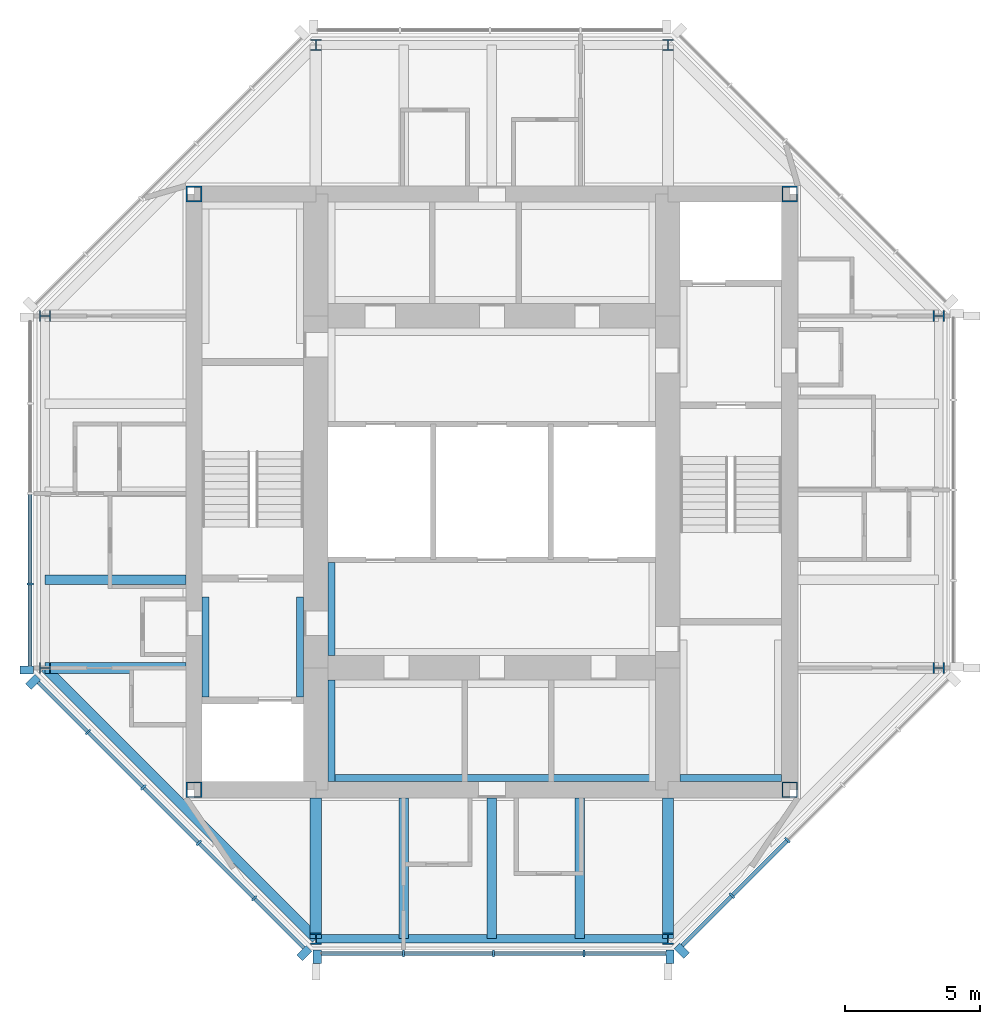
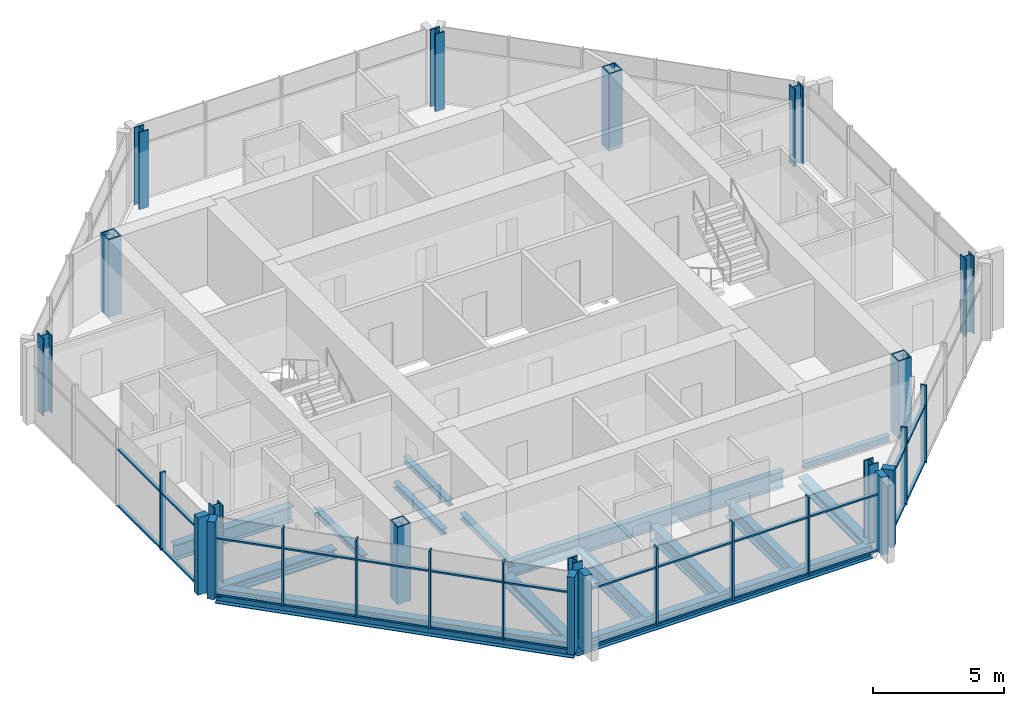
# One storey, part 1 of 9: 42 members, 15 beams, 12 columns, 4 elements without a shape of their own.
"""IFC4 building model written with IfcOpenShell, lengths in metres."""

from ifc_helpers import new_model, si_unit, direction, frame, origin, origin_2d, place, context, subcontext, project, spatial, rectangle, hollow_rectangle, i_section, extrude, material, material_profile, profile_set, type_object, element, aggregate, save


model = new_model("IFC4")

# Units and contexts
model_context = context("Model", 3, precision=1e-05, world=origin(), true_north=direction((0.0, 1.0)))
body_context = subcontext(model_context, "Body", "Model", "MODEL_VIEW")
ifc_project = project(units=[si_unit("LENGTHUNIT", "METRE"), si_unit("AREAUNIT", "SQUARE_METRE"), si_unit("VOLUMEUNIT", "CUBIC_METRE"), si_unit("PLANEANGLEUNIT", "RADIAN"), si_unit("MASSUNIT", "GRAM", prefix="KILO")], contexts=[model_context])

# Site, building, storey
site_placement = place(None, origin())
site = spatial("IfcSite", under=ifc_project, at=site_placement, CompositionType="ELEMENT")
building_placement = place(site_placement, origin())
building = spatial("IfcBuilding", under=site, at=building_placement, Name="Trevanion Tower", CompositionType="ELEMENT")
storey_placement = place(building_placement, frame((0.0, 0.0, 277.60009765625)))
storey = spatial("IfcBuildingStorey", under=building, at=storey_placement, Name="L68", CompositionType="ELEMENT", Elevation=277.60009765625)

# Columns
ifc_material_1 = material(Name="Steel ASTM A913 Grade 65", Category="steel")
ifc_material_profile_1 = material_profile(ifc_material_1, i_section(OverallWidth=0.406494140625, OverallDepth=0.41650390625, WebThickness=0.030029296875, FlangeThickness=0.048095703125, at=origin_2d()), Name="W14X257")
ifc_profile_set_1 = profile_set([ifc_material_profile_1], Name="Steel ASTM A913 Grade 65")
column_type_1 = type_object("IfcColumnType", Name="C6 W14X257", PredefinedType="COLUMN", material=ifc_profile_set_1)
for number, where, z_axis, x_axis, name in (
    (1, (-16.5, -6.5, 0.0), (0.0, 0.0, 1.0), (0.0, 1.0, 0.0), "C6 7/G L68"),
    (2, (-6.5, -16.5, 0.0), (0.0, 0.0, 1.0), (1.0, 0.0, 0.0), "C6 9/E L68"),
    (3, (6.5, -16.5, 0.0), (0.0, 0.0, 1.0), (1.0, 0.0, 0.0), "C6 11/E L68"),
    (4, (16.5, -6.5, 0.0), (0.0, 0.0, 1.0), (0.0, 1.0, 0.0), "C6 13/G L68"),
    (5, (16.5, 6.5, 0.0), (0.0, 0.0, 1.0), (0.0, 1.0, 0.0), "C6 13/J L68"),
    (6, (6.5, 16.5, 0.0), (0.0, 0.0, 1.0), (1.0, 0.0, 0.0), "C6 11/L L68"),
    (7, (-6.5, 16.5, 0.0), (0.0, 0.0, 1.0), (1.0, 0.0, 0.0), "C6 9/L L68"),
    (8, (-16.5, 6.5, 0.0), (0.0, 0.0, 1.0), (0.0, 1.0, 0.0), "C6 7/J L68"),
):
    element("IfcColumn", number, at=place(storey_placement, frame(where, z_axis=z_axis, x_axis=x_axis)), inside=storey, type_object=column_type_1, Name=name, PredefinedType="COLUMN", context=body_context, shape_type="SweptSolid", body=[
        extrude(i_section(OverallWidth=0.406494140625, OverallDepth=0.41650390625, WebThickness=0.030029296875, FlangeThickness=0.048095703125, at=origin_2d()), origin(), (0.0, 0.0, 1.0), 3.599853515625),
    ])
ifc_material_2 = material(Name="Steel ASTM A572 Grade 50", Category="steel")
ifc_material_profile_2 = material_profile(ifc_material_2, hollow_rectangle(XDim=0.584228515625, YDim=0.584228515625, WallThickness=0.05078125, at=origin_2d()), Name="BOX23X23X2")
ifc_profile_set_2 = profile_set([ifc_material_profile_2], Name="Steel ASTM A572 Grade 50")
column_type_2 = type_object("IfcColumnType", Name="CB1 BOX23X23X2", PredefinedType="COLUMN", material=ifc_profile_set_2)
for number, where, z_axis, x_axis, name in (
    (9, (11.0, 11.0, 0.0), (0.0, 0.0, 1.0), (1.0, 0.0, 0.0), "CB1 NE L68"),
    (10, (-11.0, 11.0, 0.0), (0.0, 0.0, 1.0), (1.0, 0.0, 0.0), "CB1 NW L68"),
    (11, (-11.0, -11.0, 0.0), (0.0, 0.0, 1.0), (1.0, 0.0, 0.0), "CB1 SW L68"),
    (12, (11.0, -11.0, 0.0), (0.0, 0.0, 1.0), (1.0, 0.0, 0.0), "CB1 SE L68"),
):
    element("IfcColumn", number, at=place(storey_placement, frame(where, z_axis=z_axis, x_axis=x_axis)), inside=storey, type_object=column_type_2, Name=name, PredefinedType="COLUMN", context=body_context, shape_type="SweptSolid", body=[
        extrude(hollow_rectangle(XDim=0.584228515625, YDim=0.584228515625, WallThickness=0.05078125, at=origin_2d()), origin(), (0.0, 0.0, 1.0), 3.599853515625),
    ])

# Beams
ifc_material_3 = material(Name="Steel ASTM A992 Grade 50", Category="steel")
ifc_material_profile_3 = material_profile(ifc_material_3, i_section(OverallWidth=0.355712890625, OverallDepth=0.700927734375, WebThickness=0.016845703125, FlangeThickness=0.02734375, at=origin_2d()), Name="W27X161")
ifc_profile_set_3 = profile_set([ifc_material_profile_3], Name="Steel ASTM A992 Grade 50")
beam_type_1 = type_object("IfcBeamType", Name="B15 W27X161", PredefinedType="BEAM", material=ifc_profile_set_3)
for number, where, z_axis, x_axis, name in (
    (13, (-11.300048828125, -3.25, -0.54052734375), (-1.0, 0.0, 0.0), (0.0, -1.0, 0.0), "B15 L68"),
    (14, (-3.25, -11.300048828125, -0.54052734375), (0.0, -1.0, 0.0), (1.0, 0.0, 0.0), "B15 L68"),
    (15, (0.0, -11.300048828125, -0.54052734375), (0.0, -1.0, 0.0), (1.0, 0.0, 0.0), "B15 L68"),
    (16, (3.25, -11.300048828125, -0.54052734375), (0.0, -1.0, 0.0), (1.0, 0.0, 0.0), "B15 L68"),
):
    element("IfcBeam", number, at=place(storey_placement, frame(where, z_axis=z_axis, x_axis=x_axis)), inside=storey, type_object=beam_type_1, Name=name, PredefinedType="BEAM", context=body_context, shape_type="SweptSolid", body=[
        extrude(i_section(OverallWidth=0.355712890625, OverallDepth=0.700927734375, WebThickness=0.016845703125, FlangeThickness=0.02734375, at=origin_2d()), origin(), (0.0, 0.0, 1.0), 5.199951171875),
    ])

# Curtain wall, member
ifc_material_4 = material(Name="Aluminium and glass", Category="aluminium")
curtain_wall_type = type_object("IfcCurtainWallType", Name="CW4 curtain wall", PredefinedType="USERDEFINED", material=ifc_material_4)
curtain_wall_1_placement = place(storey_placement, origin())
curtain_wall_1 = element("IfcCurtainWall", 17, at=curtain_wall_1_placement, inside=storey, type_object=curtain_wall_type, Name="CW4 L68 4", ObjectType="UNITISED CURTAIN WALL", PredefinedType="USERDEFINED")
ifc_material_5 = material(Name="Aluminium extrusion, anodised bronze", Category="aluminium")
ifc_material_profile_4 = material_profile(ifc_material_5, rectangle(XDim=0.074951171875, YDim=0.25, at=origin_2d()), Name="CW4 mullion")
ifc_profile_set_4 = profile_set([ifc_material_profile_4], Name="Aluminium extrusion, anodised bronze")
member_type_1 = type_object("IfcMemberType", Name="CW4 mullion", PredefinedType="MULLION", material=ifc_profile_set_4)
member_1_placement = place(storey_placement, frame((-17.050048828125, -3.396484375, -0.190185546875), z_axis=(0.0, 0.0, 1.0), x_axis=(0.0, -1.0, 0.0)))
member_1 = element("IfcMember", 18, at=member_1_placement, type_object=member_type_1, Name="CW4 mullion 4", PredefinedType="MULLION", context=body_context, shape_type="SweptSolid", body=[
    extrude(rectangle(XDim=0.074951171875, YDim=0.25, at=origin_2d()), origin(), (0.0, 0.0, 1.0), 3.60009765625),
])

# Curtain wall, members
curtain_wall_2_placement = place(storey_placement, origin())
curtain_wall_2 = element("IfcCurtainWall", 19, at=curtain_wall_2_placement, inside=storey, type_object=curtain_wall_type, Name="CW4 L68 5", ObjectType="UNITISED CURTAIN WALL", PredefinedType="USERDEFINED")
member_2_placement = place(storey_placement, frame((-14.912109375, -8.86572265625, -0.190185546875), z_axis=(0.0, 0.0, 1.0), x_axis=(0.707106781187, -0.707106781187, 0.0)))
member_2 = element("IfcMember", 20, at=member_2_placement, type_object=member_type_1, Name="CW4 mullion 2", PredefinedType="MULLION", context=body_context, shape_type="SweptSolid", body=[
    extrude(rectangle(XDim=0.074951171875, YDim=0.25, at=origin_2d()), origin(), (0.0, 0.0, 1.0), 3.60009765625),
])
member_3_placement = place(storey_placement, frame((-12.865966796875, -10.911865234375, -0.190185546875), z_axis=(0.0, 0.0, 1.0), x_axis=(0.707106781187, -0.707106781187, 0.0)))
member_3 = element("IfcMember", 21, at=member_3_placement, type_object=member_type_1, Name="CW4 mullion 3", PredefinedType="MULLION", context=body_context, shape_type="SweptSolid", body=[
    extrude(rectangle(XDim=0.074951171875, YDim=0.25, at=origin_2d()), origin(), (0.0, 0.0, 1.0), 3.60009765625),
])
member_4_placement = place(storey_placement, frame((-10.81982421875, -12.9580078125, -0.190185546875), z_axis=(0.0, 0.0, 1.0), x_axis=(0.707106781187, -0.707106781187, 0.0)))
member_4 = element("IfcMember", 22, at=member_4_placement, type_object=member_type_1, Name="CW4 mullion 4", PredefinedType="MULLION", context=body_context, shape_type="SweptSolid", body=[
    extrude(rectangle(XDim=0.074951171875, YDim=0.25, at=origin_2d()), origin(), (0.0, 0.0, 1.0), 3.60009765625),
])
member_5_placement = place(storey_placement, frame((-8.77392578125, -15.00390625, -0.190185546875), z_axis=(0.0, 0.0, 1.0), x_axis=(0.707106781187, -0.707106781187, 0.0)))
member_5 = element("IfcMember", 23, at=member_5_placement, type_object=member_type_1, Name="CW4 mullion 5", PredefinedType="MULLION", context=body_context, shape_type="SweptSolid", body=[
    extrude(rectangle(XDim=0.074951171875, YDim=0.25, at=origin_2d()), origin(), (0.0, 0.0, 1.0), 3.60009765625),
])

curtain_wall_3_placement = place(storey_placement, origin())
curtain_wall_3 = element("IfcCurtainWall", 24, at=curtain_wall_3_placement, inside=storey, type_object=curtain_wall_type, Name="CW4 L68 6", ObjectType="UNITISED CURTAIN WALL", PredefinedType="USERDEFINED")
member_6_placement = place(storey_placement, frame((-3.266357421875, -17.050048828125, -0.190185546875), z_axis=(0.0, 0.0, 1.0), x_axis=(1.0, 0.0, 0.0)))
member_6 = element("IfcMember", 25, at=member_6_placement, type_object=member_type_1, Name="CW4 mullion 2", PredefinedType="MULLION", context=body_context, shape_type="SweptSolid", body=[
    extrude(rectangle(XDim=0.074951171875, YDim=0.25, at=origin_2d()), origin(), (0.0, 0.0, 1.0), 3.60009765625),
])
member_7_placement = place(storey_placement, frame((0.06494140625, -17.050048828125, -0.190185546875), z_axis=(0.0, 0.0, 1.0), x_axis=(1.0, 0.0, 0.0)))
member_7 = element("IfcMember", 26, at=member_7_placement, type_object=member_type_1, Name="CW4 mullion 3", PredefinedType="MULLION", context=body_context, shape_type="SweptSolid", body=[
    extrude(rectangle(XDim=0.074951171875, YDim=0.25, at=origin_2d()), origin(), (0.0, 0.0, 1.0), 3.60009765625),
])
member_8_placement = place(storey_placement, frame((3.396484375, -17.050048828125, -0.190185546875), z_axis=(0.0, 0.0, 1.0), x_axis=(1.0, 0.0, 0.0)))
member_8 = element("IfcMember", 27, at=member_8_placement, type_object=member_type_1, Name="CW4 mullion 4", PredefinedType="MULLION", context=body_context, shape_type="SweptSolid", body=[
    extrude(rectangle(XDim=0.074951171875, YDim=0.25, at=origin_2d()), origin(), (0.0, 0.0, 1.0), 3.60009765625),
])

curtain_wall_4_placement = place(storey_placement, origin())
curtain_wall_4 = element("IfcCurtainWall", 28, at=curtain_wall_4_placement, inside=storey, type_object=curtain_wall_type, Name="CW4 L68 7", ObjectType="UNITISED CURTAIN WALL", PredefinedType="USERDEFINED")
member_9_placement = place(storey_placement, frame((8.86572265625, -14.912109375, -0.190185546875), z_axis=(0.0, 0.0, 1.0), x_axis=(0.707106781187, 0.707106781187, 0.0)))
member_9 = element("IfcMember", 29, at=member_9_placement, type_object=member_type_1, Name="CW4 mullion 2", PredefinedType="MULLION", context=body_context, shape_type="SweptSolid", body=[
    extrude(rectangle(XDim=0.074951171875, YDim=0.25, at=origin_2d()), origin(), (0.0, 0.0, 1.0), 3.60009765625),
])
member_10_placement = place(storey_placement, frame((10.911865234375, -12.865966796875, -0.190185546875), z_axis=(0.0, 0.0, 1.0), x_axis=(0.707106781187, 0.707106781187, 0.0)))
member_10 = element("IfcMember", 30, at=member_10_placement, type_object=member_type_1, Name="CW4 mullion 3", PredefinedType="MULLION", context=body_context, shape_type="SweptSolid", body=[
    extrude(rectangle(XDim=0.074951171875, YDim=0.25, at=origin_2d()), origin(), (0.0, 0.0, 1.0), 3.60009765625),
])

# Member
ifc_material_6 = material(Name="Aluminium extrusion, anodised bronze", Category="aluminium")
ifc_material_profile_5 = material_profile(ifc_material_6, rectangle(XDim=0.300048828125, YDim=0.5, at=origin_2d()), Name="CW4 pier mullion")
ifc_profile_set_5 = profile_set([ifc_material_profile_5], Name="Aluminium extrusion, anodised bronze")
member_type_2 = type_object("IfcMemberType", Name="CW4 pier mullion", PredefinedType="MULLION", material=ifc_profile_set_5)
member_11_placement = place(storey_placement, frame((-17.175048828125, -6.577880859375, -0.190185546875), z_axis=(0.0, 0.0, 1.0), x_axis=(0.0, -1.0, 0.0)))
member_11 = element("IfcMember", 31, at=member_11_placement, type_object=member_type_2, Name="CW4 pier mullion 5", PredefinedType="MULLION", context=body_context, shape_type="SweptSolid", body=[
    extrude(rectangle(XDim=0.300048828125, YDim=0.5, at=origin_2d()), origin(), (0.0, 0.0, 1.0), 3.60009765625),
])

member_12_placement = place(storey_placement, frame((-16.9404296875, -7.01416015625, -0.190185546875), z_axis=(0.0, 0.0, 1.0), x_axis=(0.707106781187, -0.707106781187, 0.0)))
member_12 = element("IfcMember", 32, at=member_12_placement, type_object=member_type_2, Name="CW4 pier mullion 1", PredefinedType="MULLION", context=body_context, shape_type="SweptSolid", body=[
    extrude(rectangle(XDim=0.300048828125, YDim=0.5, at=origin_2d()), origin(), (0.0, 0.0, 1.0), 3.60009765625),
])

member_13_placement = place(storey_placement, frame((-6.92236328125, -17.0322265625, -0.190185546875), z_axis=(0.0, 0.0, 1.0), x_axis=(0.707106781187, -0.707106781187, 0.0)))
member_13 = element("IfcMember", 33, at=member_13_placement, type_object=member_type_2, Name="CW4 pier mullion 6", PredefinedType="MULLION", context=body_context, shape_type="SweptSolid", body=[
    extrude(rectangle(XDim=0.300048828125, YDim=0.5, at=origin_2d()), origin(), (0.0, 0.0, 1.0), 3.60009765625),
])

member_14_placement = place(storey_placement, frame((-6.44775390625, -17.175048828125, -0.190185546875), z_axis=(0.0, 0.0, 1.0), x_axis=(1.0, 0.0, 0.0)))
member_14 = element("IfcMember", 34, at=member_14_placement, type_object=member_type_2, Name="CW4 pier mullion 1", PredefinedType="MULLION", context=body_context, shape_type="SweptSolid", body=[
    extrude(rectangle(XDim=0.300048828125, YDim=0.5, at=origin_2d()), origin(), (0.0, 0.0, 1.0), 3.60009765625),
])

member_15_placement = place(storey_placement, frame((6.577880859375, -17.175048828125, -0.190185546875), z_axis=(0.0, 0.0, 1.0), x_axis=(1.0, 0.0, 0.0)))
member_15 = element("IfcMember", 35, at=member_15_placement, type_object=member_type_2, Name="CW4 pier mullion 5", PredefinedType="MULLION", context=body_context, shape_type="SweptSolid", body=[
    extrude(rectangle(XDim=0.300048828125, YDim=0.5, at=origin_2d()), origin(), (0.0, 0.0, 1.0), 3.60009765625),
])

member_16_placement = place(storey_placement, frame((7.01416015625, -16.9404296875, -0.190185546875), z_axis=(0.0, 0.0, 1.0), x_axis=(0.707106781187, 0.707106781187, 0.0)))
member_16 = element("IfcMember", 36, at=member_16_placement, type_object=member_type_2, Name="CW4 pier mullion 1", PredefinedType="MULLION", context=body_context, shape_type="SweptSolid", body=[
    extrude(rectangle(XDim=0.300048828125, YDim=0.5, at=origin_2d()), origin(), (0.0, 0.0, 1.0), 3.60009765625),
])

ifc_material_7 = material(Name="Aluminium extrusion, anodised bronze", Category="aluminium")
ifc_material_profile_6 = material_profile(ifc_material_7, rectangle(XDim=0.14990234375, YDim=0.074951171875, at=origin_2d()), Name="CW4 transom")
ifc_profile_set_6 = profile_set([ifc_material_profile_6], Name="Aluminium extrusion, anodised bronze")
member_type_3 = type_object("IfcMemberType", Name="CW4 transom", PredefinedType="USERDEFINED", material=ifc_profile_set_6)
member_17_placement = place(storey_placement, frame((-17.050048828125, -0.1025390625, -0.152587890625), z_axis=(0.0, -1.0, 0.0), x_axis=(1.0, 0.0, 0.0)))
member_17 = element("IfcMember", 37, at=member_17_placement, type_object=member_type_3, Name="CW4 transom 3.1", ObjectType="TRANSOM", PredefinedType="USERDEFINED", context=body_context, shape_type="SweptSolid", body=[
    extrude(rectangle(XDim=0.14990234375, YDim=0.074951171875, at=origin_2d()), origin(), (0.0, 0.0, 1.0), 3.25634765625),
])

member_18_placement = place(storey_placement, frame((-17.050048828125, -0.1025390625, 2.4599609375), z_axis=(0.0, -1.0, 0.0), x_axis=(1.0, 0.0, 0.0)))
member_18 = element("IfcMember", 38, at=member_18_placement, type_object=member_type_3, Name="CW4 transom 3.2", ObjectType="TRANSOM", PredefinedType="USERDEFINED", context=body_context, shape_type="SweptSolid", body=[
    extrude(rectangle(XDim=0.14990234375, YDim=0.074951171875, at=origin_2d()), origin(), (0.0, 0.0, 1.0), 3.25634765625),
])

member_19_placement = place(storey_placement, frame((-17.050048828125, -3.433837890625, -0.152587890625), z_axis=(0.0, -1.0, 0.0), x_axis=(1.0, 0.0, 0.0)))
member_19 = element("IfcMember", 39, at=member_19_placement, type_object=member_type_3, Name="CW4 transom 4.1", ObjectType="TRANSOM", PredefinedType="USERDEFINED", context=body_context, shape_type="SweptSolid", body=[
    extrude(rectangle(XDim=0.14990234375, YDim=0.074951171875, at=origin_2d()), origin(), (0.0, 0.0, 1.0), 2.993896484375),
])

member_20_placement = place(storey_placement, frame((-17.050048828125, -3.433837890625, 2.4599609375), z_axis=(0.0, -1.0, 0.0), x_axis=(1.0, 0.0, 0.0)))
member_20 = element("IfcMember", 40, at=member_20_placement, type_object=member_type_3, Name="CW4 transom 4.2", ObjectType="TRANSOM", PredefinedType="USERDEFINED", context=body_context, shape_type="SweptSolid", body=[
    extrude(rectangle(XDim=0.14990234375, YDim=0.074951171875, at=origin_2d()), origin(), (0.0, 0.0, 1.0), 2.993896484375),
])

aggregate(curtain_wall_1, [member_1, member_11, member_17, member_18, member_19, member_20])

member_21_placement = place(storey_placement, frame((-16.745849609375, -7.031982421875, -0.152587890625), z_axis=(0.707106781187, -0.707106781187, 0.0), x_axis=(0.707106781187, 0.707106781187, 0.0)))
member_21 = element("IfcMember", 41, at=member_21_placement, type_object=member_type_3, Name="CW4 transom 1.1", ObjectType="TRANSOM", PredefinedType="USERDEFINED", context=body_context, shape_type="SweptSolid", body=[
    extrude(rectangle(XDim=0.14990234375, YDim=0.074951171875, at=origin_2d()), origin(), (0.0, 0.0, 1.0), 2.555908203125),
])

member_22_placement = place(storey_placement, frame((-16.745849609375, -7.031982421875, 2.4599609375), z_axis=(0.707106781187, -0.707106781187, 0.0), x_axis=(0.707106781187, 0.707106781187, 0.0)))
member_22 = element("IfcMember", 42, at=member_22_placement, type_object=member_type_3, Name="CW4 transom 1.2", ObjectType="TRANSOM", PredefinedType="USERDEFINED", context=body_context, shape_type="SweptSolid", body=[
    extrude(rectangle(XDim=0.14990234375, YDim=0.074951171875, at=origin_2d()), origin(), (0.0, 0.0, 1.0), 2.555908203125),
])

member_23_placement = place(storey_placement, frame((-14.885498046875, -8.892333984375, -0.152587890625), z_axis=(0.707106781187, -0.707106781187, 0.0), x_axis=(0.707106781187, 0.707106781187, 0.0)))
member_23 = element("IfcMember", 43, at=member_23_placement, type_object=member_type_3, Name="CW4 transom 2.1", ObjectType="TRANSOM", PredefinedType="USERDEFINED", context=body_context, shape_type="SweptSolid", body=[
    extrude(rectangle(XDim=0.14990234375, YDim=0.074951171875, at=origin_2d()), origin(), (0.0, 0.0, 1.0), 2.818359375),
])

member_24_placement = place(storey_placement, frame((-14.885498046875, -8.892333984375, 2.4599609375), z_axis=(0.707106781187, -0.707106781187, 0.0), x_axis=(0.707106781187, 0.707106781187, 0.0)))
member_24 = element("IfcMember", 44, at=member_24_placement, type_object=member_type_3, Name="CW4 transom 2.2", ObjectType="TRANSOM", PredefinedType="USERDEFINED", context=body_context, shape_type="SweptSolid", body=[
    extrude(rectangle(XDim=0.14990234375, YDim=0.074951171875, at=origin_2d()), origin(), (0.0, 0.0, 1.0), 2.818359375),
])

member_25_placement = place(storey_placement, frame((-12.839599609375, -10.9384765625, -0.152587890625), z_axis=(0.707150088905, -0.707063470815, 0.0), x_axis=(0.707063470815, 0.707150088905, 0.0)))
member_25 = element("IfcMember", 45, at=member_25_placement, type_object=member_type_3, Name="CW4 transom 3.1", ObjectType="TRANSOM", PredefinedType="USERDEFINED", context=body_context, shape_type="SweptSolid", body=[
    extrude(rectangle(XDim=0.14990234375, YDim=0.074951171875, at=origin_2d()), origin(), (0.0, 0.0, 1.0), 2.818603515625),
])

member_26_placement = place(storey_placement, frame((-12.839599609375, -10.9384765625, 2.4599609375), z_axis=(0.707150088905, -0.707063470815, 0.0), x_axis=(0.707063470815, 0.707150088905, 0.0)))
member_26 = element("IfcMember", 46, at=member_26_placement, type_object=member_type_3, Name="CW4 transom 3.2", ObjectType="TRANSOM", PredefinedType="USERDEFINED", context=body_context, shape_type="SweptSolid", body=[
    extrude(rectangle(XDim=0.14990234375, YDim=0.074951171875, at=origin_2d()), origin(), (0.0, 0.0, 1.0), 2.818603515625),
])

member_27_placement = place(storey_placement, frame((-10.79345703125, -12.984375, -0.152587890625), z_axis=(0.707150088905, -0.707063470815, 0.0), x_axis=(0.707063470815, 0.707150088905, 0.0)))
member_27 = element("IfcMember", 47, at=member_27_placement, type_object=member_type_3, Name="CW4 transom 4.1", ObjectType="TRANSOM", PredefinedType="USERDEFINED", context=body_context, shape_type="SweptSolid", body=[
    extrude(rectangle(XDim=0.14990234375, YDim=0.074951171875, at=origin_2d()), origin(), (0.0, 0.0, 1.0), 2.818603515625),
])

member_28_placement = place(storey_placement, frame((-10.79345703125, -12.984375, 2.4599609375), z_axis=(0.707150088905, -0.707063470815, 0.0), x_axis=(0.707063470815, 0.707150088905, 0.0)))
member_28 = element("IfcMember", 48, at=member_28_placement, type_object=member_type_3, Name="CW4 transom 4.2", ObjectType="TRANSOM", PredefinedType="USERDEFINED", context=body_context, shape_type="SweptSolid", body=[
    extrude(rectangle(XDim=0.14990234375, YDim=0.074951171875, at=origin_2d()), origin(), (0.0, 0.0, 1.0), 2.818603515625),
])

member_29_placement = place(storey_placement, frame((-8.747314453125, -15.030517578125, -0.152587890625), z_axis=(0.707106781187, -0.707106781187, 0.0), x_axis=(0.707106781187, 0.707106781187, 0.0)))
member_29 = element("IfcMember", 49, at=member_29_placement, type_object=member_type_3, Name="CW4 transom 5.1", ObjectType="TRANSOM", PredefinedType="USERDEFINED", context=body_context, shape_type="SweptSolid", body=[
    extrude(rectangle(XDim=0.14990234375, YDim=0.074951171875, at=origin_2d()), origin(), (0.0, 0.0, 1.0), 2.555908203125),
])

member_30_placement = place(storey_placement, frame((-8.747314453125, -15.030517578125, 2.4599609375), z_axis=(0.707106781187, -0.707106781187, 0.0), x_axis=(0.707106781187, 0.707106781187, 0.0)))
member_30 = element("IfcMember", 50, at=member_30_placement, type_object=member_type_3, Name="CW4 transom 5.2", ObjectType="TRANSOM", PredefinedType="USERDEFINED", context=body_context, shape_type="SweptSolid", body=[
    extrude(rectangle(XDim=0.14990234375, YDim=0.074951171875, at=origin_2d()), origin(), (0.0, 0.0, 1.0), 2.555908203125),
])

aggregate(curtain_wall_2, [member_12, member_2, member_3, member_4, member_5, member_13, member_21, member_22, member_23, member_24, member_25, member_26, member_27, member_28, member_29, member_30])

member_31_placement = place(storey_placement, frame((-6.2978515625, -17.050048828125, -0.152587890625), z_axis=(1.0, 0.0, 0.0), x_axis=(0.0, 1.0, 0.0)))
member_31 = element("IfcMember", 51, at=member_31_placement, type_object=member_type_3, Name="CW4 transom 1.1", ObjectType="TRANSOM", PredefinedType="USERDEFINED", context=body_context, shape_type="SweptSolid", body=[
    extrude(rectangle(XDim=0.14990234375, YDim=0.074951171875, at=origin_2d()), origin(), (0.0, 0.0, 1.0), 2.993896484375),
])

member_32_placement = place(storey_placement, frame((-6.2978515625, -17.050048828125, 2.4599609375), z_axis=(1.0, 0.0, 0.0), x_axis=(0.0, 1.0, 0.0)))
member_32 = element("IfcMember", 52, at=member_32_placement, type_object=member_type_3, Name="CW4 transom 1.2", ObjectType="TRANSOM", PredefinedType="USERDEFINED", context=body_context, shape_type="SweptSolid", body=[
    extrude(rectangle(XDim=0.14990234375, YDim=0.074951171875, at=origin_2d()), origin(), (0.0, 0.0, 1.0), 2.993896484375),
])

member_33_placement = place(storey_placement, frame((-3.22900390625, -17.050048828125, -0.152587890625), z_axis=(1.0, 0.0, 0.0), x_axis=(0.0, 1.0, 0.0)))
member_33 = element("IfcMember", 53, at=member_33_placement, type_object=member_type_3, Name="CW4 transom 2.1", ObjectType="TRANSOM", PredefinedType="USERDEFINED", context=body_context, shape_type="SweptSolid", body=[
    extrude(rectangle(XDim=0.14990234375, YDim=0.074951171875, at=origin_2d()), origin(), (0.0, 0.0, 1.0), 3.256591796875),
])

member_34_placement = place(storey_placement, frame((-3.22900390625, -17.050048828125, 2.4599609375), z_axis=(1.0, 0.0, 0.0), x_axis=(0.0, 1.0, 0.0)))
member_34 = element("IfcMember", 54, at=member_34_placement, type_object=member_type_3, Name="CW4 transom 2.2", ObjectType="TRANSOM", PredefinedType="USERDEFINED", context=body_context, shape_type="SweptSolid", body=[
    extrude(rectangle(XDim=0.14990234375, YDim=0.074951171875, at=origin_2d()), origin(), (0.0, 0.0, 1.0), 3.256591796875),
])

member_35_placement = place(storey_placement, frame((0.1025390625, -17.050048828125, -0.152587890625), z_axis=(1.0, 0.0, 0.0), x_axis=(0.0, 1.0, 0.0)))
member_35 = element("IfcMember", 55, at=member_35_placement, type_object=member_type_3, Name="CW4 transom 3.1", ObjectType="TRANSOM", PredefinedType="USERDEFINED", context=body_context, shape_type="SweptSolid", body=[
    extrude(rectangle(XDim=0.14990234375, YDim=0.074951171875, at=origin_2d()), origin(), (0.0, 0.0, 1.0), 3.25634765625),
])

member_36_placement = place(storey_placement, frame((0.1025390625, -17.050048828125, 2.4599609375), z_axis=(1.0, 0.0, 0.0), x_axis=(0.0, 1.0, 0.0)))
member_36 = element("IfcMember", 56, at=member_36_placement, type_object=member_type_3, Name="CW4 transom 3.2", ObjectType="TRANSOM", PredefinedType="USERDEFINED", context=body_context, shape_type="SweptSolid", body=[
    extrude(rectangle(XDim=0.14990234375, YDim=0.074951171875, at=origin_2d()), origin(), (0.0, 0.0, 1.0), 3.25634765625),
])

member_37_placement = place(storey_placement, frame((3.433837890625, -17.050048828125, -0.152587890625), z_axis=(1.0, 0.0, 0.0), x_axis=(0.0, 1.0, 0.0)))
member_37 = element("IfcMember", 57, at=member_37_placement, type_object=member_type_3, Name="CW4 transom 4.1", ObjectType="TRANSOM", PredefinedType="USERDEFINED", context=body_context, shape_type="SweptSolid", body=[
    extrude(rectangle(XDim=0.14990234375, YDim=0.074951171875, at=origin_2d()), origin(), (0.0, 0.0, 1.0), 2.993896484375),
])

member_38_placement = place(storey_placement, frame((3.433837890625, -17.050048828125, 2.4599609375), z_axis=(1.0, 0.0, 0.0), x_axis=(0.0, 1.0, 0.0)))
member_38 = element("IfcMember", 58, at=member_38_placement, type_object=member_type_3, Name="CW4 transom 4.2", ObjectType="TRANSOM", PredefinedType="USERDEFINED", context=body_context, shape_type="SweptSolid", body=[
    extrude(rectangle(XDim=0.14990234375, YDim=0.074951171875, at=origin_2d()), origin(), (0.0, 0.0, 1.0), 2.993896484375),
])

aggregate(curtain_wall_3, [member_14, member_6, member_7, member_8, member_15, member_31, member_32, member_33, member_34, member_35, member_36, member_37, member_38])

member_39_placement = place(storey_placement, frame((7.031982421875, -16.745849609375, -0.152587890625), z_axis=(0.707106781187, 0.707106781187, 0.0), x_axis=(-0.707106781187, 0.707106781187, 0.0)))
member_39 = element("IfcMember", 59, at=member_39_placement, type_object=member_type_3, Name="CW4 transom 1.1", ObjectType="TRANSOM", PredefinedType="USERDEFINED", context=body_context, shape_type="SweptSolid", body=[
    extrude(rectangle(XDim=0.14990234375, YDim=0.074951171875, at=origin_2d()), origin(), (0.0, 0.0, 1.0), 2.555908203125),
])

member_40_placement = place(storey_placement, frame((7.031982421875, -16.745849609375, 2.4599609375), z_axis=(0.707106781187, 0.707106781187, 0.0), x_axis=(-0.707106781187, 0.707106781187, 0.0)))
member_40 = element("IfcMember", 60, at=member_40_placement, type_object=member_type_3, Name="CW4 transom 1.2", ObjectType="TRANSOM", PredefinedType="USERDEFINED", context=body_context, shape_type="SweptSolid", body=[
    extrude(rectangle(XDim=0.14990234375, YDim=0.074951171875, at=origin_2d()), origin(), (0.0, 0.0, 1.0), 2.555908203125),
])

member_41_placement = place(storey_placement, frame((8.892333984375, -14.885498046875, -0.152587890625), z_axis=(0.707106781187, 0.707106781187, 0.0), x_axis=(-0.707106781187, 0.707106781187, 0.0)))
member_41 = element("IfcMember", 61, at=member_41_placement, type_object=member_type_3, Name="CW4 transom 2.1", ObjectType="TRANSOM", PredefinedType="USERDEFINED", context=body_context, shape_type="SweptSolid", body=[
    extrude(rectangle(XDim=0.14990234375, YDim=0.074951171875, at=origin_2d()), origin(), (0.0, 0.0, 1.0), 2.818359375),
])

member_42_placement = place(storey_placement, frame((8.892333984375, -14.885498046875, 2.4599609375), z_axis=(0.707106781187, 0.707106781187, 0.0), x_axis=(-0.707106781187, 0.707106781187, 0.0)))
member_42 = element("IfcMember", 62, at=member_42_placement, type_object=member_type_3, Name="CW4 transom 2.2", ObjectType="TRANSOM", PredefinedType="USERDEFINED", context=body_context, shape_type="SweptSolid", body=[
    extrude(rectangle(XDim=0.14990234375, YDim=0.074951171875, at=origin_2d()), origin(), (0.0, 0.0, 1.0), 2.818359375),
])

aggregate(curtain_wall_4, [member_16, member_9, member_10, member_39, member_40, member_41, member_42])

# Beams
ifc_material_8 = material(Name="Steel ASTM A992 Grade 50", Category="steel")
ifc_material_profile_7 = material_profile(ifc_material_8, i_section(OverallWidth=0.41650390625, OverallDepth=0.444580078125, WebThickness=0.0390625, FlangeThickness=0.062744140625, at=origin_2d()), Name="W14X342")
ifc_profile_set_7 = profile_set([ifc_material_profile_7], Name="Steel ASTM A992 Grade 50")
beam_type_2 = type_object("IfcBeamType", Name="G8 W14X342", PredefinedType="BEAM", material=ifc_profile_set_7)
for number, where, z_axis, x_axis, name in (
    (63, (-11.300048828125, -6.5, -0.412353515625), (-1.0, 0.0, 0.0), (0.0, -1.0, 0.0), "G8 L68"),
    (64, (-6.5, -11.300048828125, -0.412353515625), (0.0, -1.0, 0.0), (1.0, 0.0, 0.0), "G8 L68"),
    (65, (6.5, -11.300048828125, -0.412353515625), (0.0, -1.0, 0.0), (1.0, 0.0, 0.0), "G8 L68"),
):
    element("IfcBeam", number, at=place(storey_placement, frame(where, z_axis=z_axis, x_axis=x_axis)), inside=storey, type_object=beam_type_2, Name=name, PredefinedType="BEAM", context=body_context, shape_type="SweptSolid", body=[
        extrude(i_section(OverallWidth=0.41650390625, OverallDepth=0.444580078125, WebThickness=0.0390625, FlangeThickness=0.062744140625, at=origin_2d()), origin(), (0.0, 0.0, 1.0), 5.199951171875),
    ])
ifc_material_9 = material(Name="Steel ASTM A992 Grade 50", Category="steel")
ifc_material_profile_8 = material_profile(ifc_material_9, i_section(OverallWidth=0.256591796875, OverallDepth=0.26416015625, WebThickness=0.011962890625, FlangeThickness=0.01953125, at=origin_2d()), Name="W10X68")
ifc_profile_set_8 = profile_set([ifc_material_profile_8], Name="Steel ASTM A992 Grade 50")
beam_type_3 = type_object("IfcBeamType", Name="LB1 W10X68", PredefinedType="BEAM", material=ifc_profile_set_8)
beam_1_placement = place(storey_placement, frame((-5.921630859375, -6.050048828125, -0.332275390625), z_axis=(0.0, 1.0, 0.0), x_axis=(-1.0, 0.0, 0.0)))
element("IfcBeam", 66, at=beam_1_placement, inside=storey, type_object=beam_type_3, Name="LB1 L68", PredefinedType="BEAM", context=body_context, shape_type="SweptSolid", body=[
    extrude(i_section(OverallWidth=0.256591796875, OverallDepth=0.26416015625, WebThickness=0.011962890625, FlangeThickness=0.01953125, at=origin_2d()), origin(), (0.0, 0.0, 1.0), 3.449951171875),
])
for number, where, z_axis, x_axis, name in (
    (67, (-10.57177734375, -7.574951171875, -0.332275390625), (0.0, 1.0, 0.0), (-1.0, 0.0, 0.0), "LB1 L68"),
    (68, (-7.078369140625, -7.574951171875, -0.332275390625), (0.0, 1.0, 0.0), (-1.0, 0.0, 0.0), "LB1 L68"),
):
    element("IfcBeam", number, at=place(storey_placement, frame(where, z_axis=z_axis, x_axis=x_axis)), inside=storey, type_object=beam_type_3, Name=name, PredefinedType="BEAM", context=body_context, shape_type="SweptSolid", body=[
        extrude(i_section(OverallWidth=0.256591796875, OverallDepth=0.26416015625, WebThickness=0.011962890625, FlangeThickness=0.01953125, at=origin_2d()), origin(), (0.0, 0.0, 1.0), 3.699951171875),
    ])
for number, where, z_axis, x_axis, name in (
    (69, (6.949951171875, -10.57177734375, -0.332275390625), (1.0, 0.0, 0.0), (0.0, 1.0, 0.0), "LB1 L68"),
    (70, (-5.921630859375, -10.699951171875, -0.332275390625), (0.0, 1.0, 0.0), (-1.0, 0.0, 0.0), "LB1 L68"),
):
    element("IfcBeam", number, at=place(storey_placement, frame(where, z_axis=z_axis, x_axis=x_axis)), inside=storey, type_object=beam_type_3, Name=name, PredefinedType="BEAM", context=body_context, shape_type="SweptSolid", body=[
        extrude(i_section(OverallWidth=0.256591796875, OverallDepth=0.26416015625, WebThickness=0.011962890625, FlangeThickness=0.01953125, at=origin_2d()), origin(), (0.0, 0.0, 1.0), 3.75),
    ])
ifc_material_10 = material(Name="Steel ASTM A992 Grade 50", Category="steel")
ifc_material_profile_9 = material_profile(ifc_material_10, i_section(OverallWidth=0.2666015625, OverallDepth=0.76953125, WebThickness=0.015625, FlangeThickness=0.025390625, at=origin_2d()), Name="W30X132")
ifc_profile_set_9 = profile_set([ifc_material_profile_9], Name="Steel ASTM A992 Grade 50")
beam_type_4 = type_object("IfcBeamType", Name="LB3 W30X132", PredefinedType="BEAM", material=ifc_profile_set_9)
beam_2_placement = place(storey_placement, frame((-6.050048828125, -10.566650390625, -0.5849609375), z_axis=(1.0, 0.0, 0.0), x_axis=(0.0, 1.0, 0.0)))
element("IfcBeam", 71, at=beam_2_placement, inside=storey, type_object=beam_type_4, Name="LB3 L68", PredefinedType="BEAM", context=body_context, shape_type="SweptSolid", body=[
    extrude(i_section(OverallWidth=0.2666015625, OverallDepth=0.76953125, WebThickness=0.015625, FlangeThickness=0.025390625, at=origin_2d()), origin(), (0.0, 0.0, 1.0), 12.10009765625),
])
ifc_material_11 = material(Name="Steel ASTM A992 Grade 50", Category="steel")
ifc_material_profile_10 = material_profile(ifc_material_11, i_section(OverallWidth=0.32763671875, OverallDepth=0.622314453125, WebThickness=0.015380859375, FlangeThickness=0.0244140625, at=origin_2d()), Name="W24X131")
ifc_profile_set_10 = profile_set([ifc_material_profile_10], Name="Steel ASTM A992 Grade 50")
beam_type_5 = type_object("IfcBeamType", Name="SB12 W24X131", PredefinedType="SPANDREL", material=ifc_profile_set_10)
beam_3_placement = place(storey_placement, frame((-6.5, -16.5, -0.501220703125), z_axis=(1.0, 0.0, 0.0), x_axis=(0.0, 1.0, 0.0)))
element("IfcBeam", 72, at=beam_3_placement, inside=storey, type_object=beam_type_5, Name="SB12 L68", PredefinedType="SPANDREL", context=body_context, shape_type="SweptSolid", body=[
    extrude(i_section(OverallWidth=0.32763671875, OverallDepth=0.622314453125, WebThickness=0.015380859375, FlangeThickness=0.0244140625, at=origin_2d()), origin(), (0.0, 0.0, 1.0), 13.0),
])
ifc_material_12 = material(Name="Steel ASTM A992 Grade 50", Category="steel")
ifc_material_profile_11 = material_profile(ifc_material_12, i_section(OverallWidth=0.358154296875, OverallDepth=0.7060546875, WebThickness=0.018310546875, FlangeThickness=0.0302734375, at=origin_2d()), Name="W27X178")
ifc_profile_set_11 = profile_set([ifc_material_profile_11], Name="Steel ASTM A992 Grade 50")
beam_type_6 = type_object("IfcBeamType", Name="SB13 W27X178", PredefinedType="SPANDREL", material=ifc_profile_set_11)
beam_4_placement = place(storey_placement, frame((-16.5, -6.5, -0.543212890625), z_axis=(0.707106781187, -0.707106781187, 0.0), x_axis=(0.707106781187, 0.707106781187, 0.0)))
element("IfcBeam", 73, at=beam_4_placement, inside=storey, type_object=beam_type_6, Name="SB13 L68", PredefinedType="SPANDREL", context=body_context, shape_type="SweptSolid", body=[
    extrude(i_section(OverallWidth=0.358154296875, OverallDepth=0.7060546875, WebThickness=0.018310546875, FlangeThickness=0.0302734375, at=origin_2d()), origin(), (0.0, 0.0, 1.0), 14.14208984375),
])

save(model, "model.ifc")
